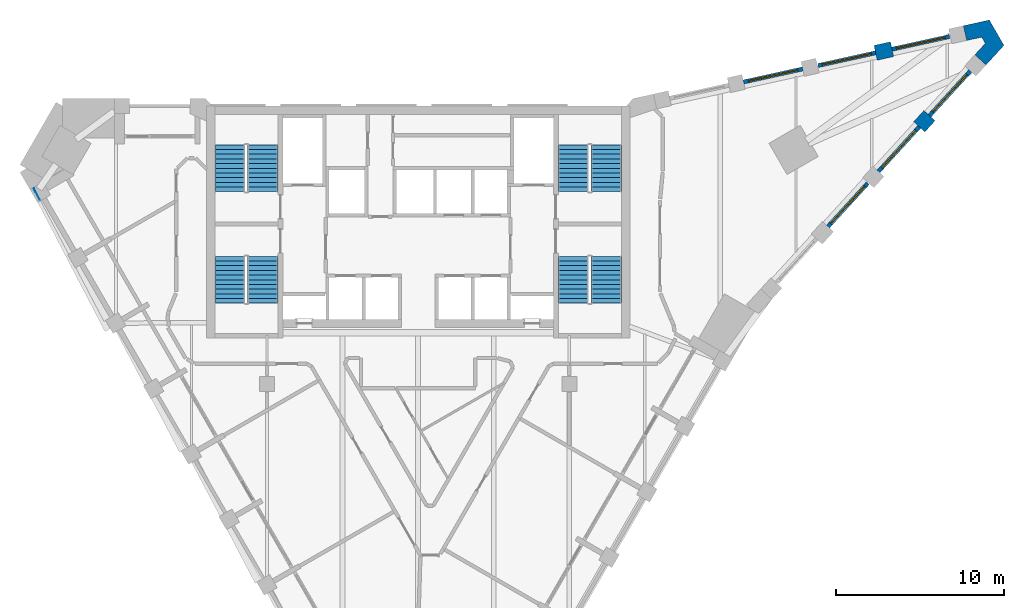
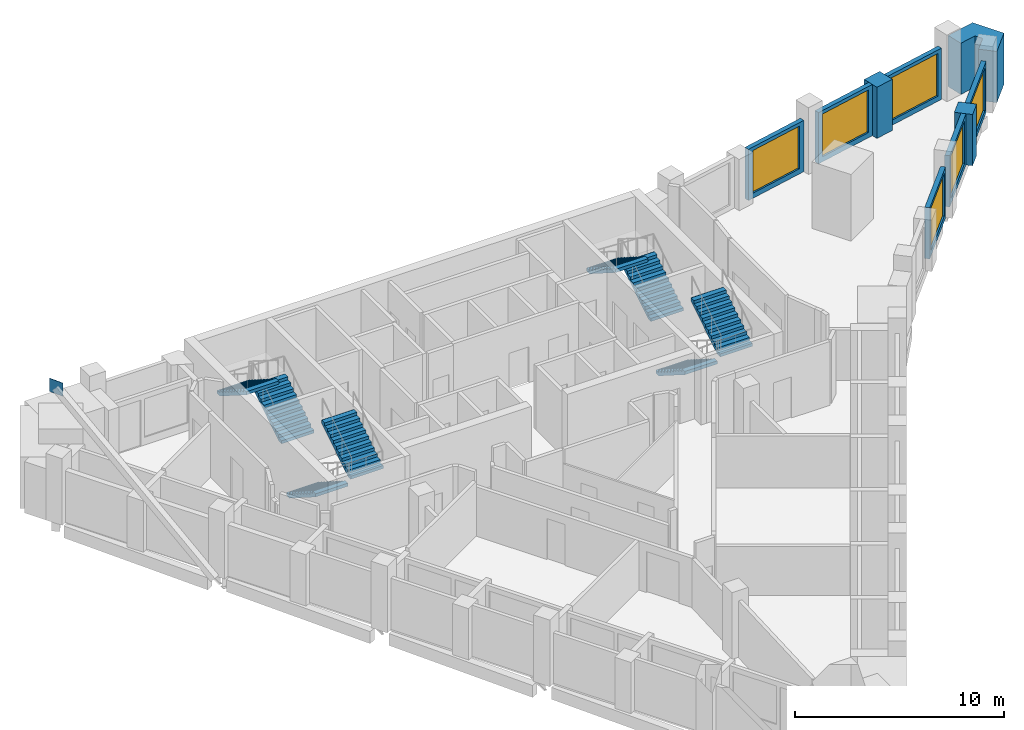
# One storey, part 7 of 8: 9 walls, 8 stair flights, 6 windows, 1 discrete accessory, 6 openings, 4 elements without a shape of their own.
"""IFC4 building model written with IfcOpenShell, lengths in metres."""

import ifcopenshell
import ifcopenshell.guid

model = None  # the IFC model being written
_history = None  # IfcOwnerHistory: only IFC2X3 demands one
_inside = {}  # id of a spatial element -> (the spatial element, [elements in it])
_under = {}  # id of a project, library or spatial element -> (it, [spatial elements below it])
_declared = {}  # id of a project -> (the project, [libraries it declares])
_typed = {}  # id of a type object -> (the type object, [elements of that type])
_made_of = {}  # id of a material, layer set ... -> (it, [elements and type objects made of it])


def new_model(schema):
    """Start an empty IFC model of exactly this schema.

    Asked for "IFC4X3", IfcOpenShell would pick the latest addendum, in which some entities
    have other attributes; the version numbers below select the first issue.
    IFC2X3 requires an IfcOwnerHistory on every rooted entity: one is made here for all.
    """
    global model, _history
    if schema == "IFC4X3":
        model = ifcopenshell.file(schema_version=(4, 3, 0, 0))
    else:
        model = ifcopenshell.file(schema=schema)
    _inside.clear()
    _under.clear()
    _declared.clear()
    _typed.clear()
    _made_of.clear()
    _history = None
    if model.schema == "IFC2X3":
        org = make("IfcOrganization", Name="unknown")
        user = make(
            "IfcPersonAndOrganization",
            ThePerson=make("IfcPerson", FamilyName="unknown"),
            TheOrganization=org,
        )
        app = make(
            "IfcApplication",
            ApplicationDeveloper=org,
            Version="unknown",
            ApplicationFullName="unknown",
            ApplicationIdentifier="unknown",
        )
        _history = make(
            "IfcOwnerHistory",
            OwningUser=user,
            OwningApplication=app,
            ChangeAction="ADDED",
            CreationDate=0,
        )
    return model


def make(cls, **values):
    """One entity of the class cls with the attributes given. An attribute that is None is left unset."""
    return model.create_entity(
        cls, **{name: value for name, value in values.items() if value is not None}
    )


def rooted(cls, **values):
    """An entity with a GlobalId (a new one), such as an element, a storey or a relation."""
    return make(cls, GlobalId=ifcopenshell.guid.new(), OwnerHistory=_history, **values)


def si_unit(unit_type, name, prefix=None):
    """IfcSIUnit, for example si_unit("LENGTHUNIT", "METRE", prefix="MILLI")."""
    return make("IfcSIUnit", UnitType=unit_type, Prefix=prefix, Name=name)


def assignment(units):
    """IfcUnitAssignment: the units of a project."""
    return None if units is None else make("IfcUnitAssignment", Units=units)


def point(xyz):
    """IfcCartesianPoint."""
    return None if xyz is None else make("IfcCartesianPoint", Coordinates=xyz)


def direction(xyz):
    """IfcDirection."""
    return None if xyz is None else make("IfcDirection", DirectionRatios=xyz)


def frame(location, z_axis=None, x_axis=None):
    """IfcAxis2Placement3D, a coordinate frame: its origin and axes. An axis left out is left unset."""
    return make(
        "IfcAxis2Placement3D",
        Location=point(location),
        Axis=direction(z_axis),
        RefDirection=direction(x_axis),
    )


def frame_2d(location, x_axis=None):
    """IfcAxis2Placement2D, a coordinate frame in the plane: its origin and x axis."""
    return make(
        "IfcAxis2Placement2D", Location=point(location), RefDirection=direction(x_axis)
    )


def origin():
    """The frame at (0, 0, 0) with its axes left unset."""
    return frame((0.0, 0.0, 0.0))


def origin_2d():
    """The frame at (0, 0) in the plane with its x axis left unset."""
    return frame_2d((0.0, 0.0))


def place(relative_to, where):
    """IfcLocalPlacement: puts the frame where relative to a parent placement (None: the world)."""
    return make(
        "IfcLocalPlacement", PlacementRelTo=relative_to, RelativePlacement=where
    )


def context(
    kind, dimensions, precision=None, world=None, true_north=None, identifier=None
):
    """IfcGeometricRepresentationContext, for example the 3D "Model" context."""
    return make(
        "IfcGeometricRepresentationContext",
        ContextIdentifier=identifier,
        ContextType=kind,
        CoordinateSpaceDimension=dimensions,
        Precision=precision,
        WorldCoordinateSystem=world,
        TrueNorth=true_north,
    )


def subcontext(parent, identifier, kind, view, scale=None):
    """IfcGeometricRepresentationSubContext, for example "Body" below "Model"."""
    return make(
        "IfcGeometricRepresentationSubContext",
        ContextIdentifier=identifier,
        ContextType=kind,
        ParentContext=parent,
        TargetScale=scale,
        TargetView=view,
    )


def project(units=None, contexts=None):
    """IfcProject with its units and contexts."""
    return rooted(
        "IfcProject",
        Name="project",
        RepresentationContexts=contexts,
        UnitsInContext=assignment(units),
    )


def spatial(cls, under=None, at=None, **own):
    """A site, building, storey or space (cls), placed at a placement, below another one or the project."""
    s = rooted(cls, ObjectPlacement=at, **own)
    if under is not None:
        _under.setdefault(under.id(), (under, []))[1].append(s)
    return s


def polyline(points):
    """IfcPolyline through the points."""
    return make("IfcPolyline", Points=[point(p) for p in points])


def profile(cls, at=None, kind="AREA", **sizes):
    """A parametric profile (cls). Its sizes go by their IFC names, for example OverallWidth=200.0."""
    return make(cls, ProfileType=kind, Position=at, **sizes)


def rectangle(**sizes):
    """IfcRectangleProfileDef."""
    return profile("IfcRectangleProfileDef", **sizes)


def outline(outer, holes=None, kind="AREA"):
    """IfcArbitraryClosedProfileDef: a profile drawn as a closed curve; with holes, ...WithVoids."""
    if holes is None:
        return make("IfcArbitraryClosedProfileDef", ProfileType=kind, OuterCurve=outer)
    return make(
        "IfcArbitraryProfileDefWithVoids",
        ProfileType=kind,
        OuterCurve=outer,
        InnerCurves=holes,
    )


def extrude(swept, where, along, depth):
    """IfcExtrudedAreaSolid: the profile swept, set in the frame where, extruded along a direction by depth."""
    return make(
        "IfcExtrudedAreaSolid",
        SweptArea=swept,
        Position=where,
        ExtrudedDirection=direction(along),
        Depth=depth,
    )


def faces_of(points, faces, orient=None, outer=None):
    """IfcFace entities. A face is a list of loops; a loop is a list of indices into points, from 0.

    orient and outer hold one flag for each loop. By default every Orientation is true, the
    first loop of a face is its IfcFaceOuterBound and the others are IfcFaceBound.
    """
    made = []
    for i, loops in enumerate(faces):
        bounds = []
        for j, loop in enumerate(loops):
            is_outer = j == 0 if outer is None else outer[i][j]
            bounds.append(
                make(
                    "IfcFaceOuterBound" if is_outer else "IfcFaceBound",
                    Bound=make("IfcPolyLoop", Polygon=[points[k] for k in loop]),
                    Orientation=True if orient is None else orient[i][j],
                )
            )
        made.append(make("IfcFace", Bounds=bounds))
    return made


def faceted_brep(points, faces, orient=None, outer=None, voids=None):
    """IfcFacetedBrep: a solid bounded by flat faces; with voids (closed shells), ...WithVoids."""
    shared = [point(p) for p in points]
    hull = make("IfcClosedShell", CfsFaces=faces_of(shared, faces, orient, outer))
    if voids is None:
        return make("IfcFacetedBrep", Outer=hull)
    return make(
        "IfcFacetedBrepWithVoids",
        Outer=hull,
        Voids=[
            make(cls, CfsFaces=faces_of(shared, fs, o, b)) for cls, fs, o, b in voids
        ],
    )


def shape(context_of_items, identifier, shape_type, items):
    """IfcShapeRepresentation: the items that make up one representation, for example the "Body"."""
    return make(
        "IfcShapeRepresentation",
        ContextOfItems=context_of_items,
        RepresentationIdentifier=identifier,
        RepresentationType=shape_type,
        Items=items,
    )


def source(mapping_origin, context_of_items, identifier, shape_type, items):
    """IfcRepresentationMap: a shape defined once, which mapped items show again and again."""
    return make(
        "IfcRepresentationMap",
        MappingOrigin=mapping_origin,
        MappedRepresentation=shape(context_of_items, identifier, shape_type, items),
    )


def transform(
    local_origin,
    x_axis=None,
    y_axis=None,
    z_axis=None,
    scale=None,
    scale2=None,
    scale3=None,
    uniform=True,
):
    """IfcCartesianTransformationOperator3D, or its non-uniform kind. x_axis, y_axis, z_axis: its Axis1, 2, 3."""
    if uniform:
        return make(
            "IfcCartesianTransformationOperator3D",
            Axis1=direction(x_axis),
            Axis2=direction(y_axis),
            LocalOrigin=point(local_origin),
            Scale=scale,
            Axis3=direction(z_axis),
        )
    return make(
        "IfcCartesianTransformationOperator3DnonUniform",
        Axis1=direction(x_axis),
        Axis2=direction(y_axis),
        LocalOrigin=point(local_origin),
        Scale=scale,
        Axis3=direction(z_axis),
        Scale2=scale2,
        Scale3=scale3,
    )


def mapped(mapping_source, mapping_target):
    """IfcMappedItem: shows the shape of a source again, moved by a transform."""
    return make(
        "IfcMappedItem", MappingSource=mapping_source, MappingTarget=mapping_target
    )


def material(Name=None, Category=None):
    """IfcMaterial."""
    return make("IfcMaterial", Name=Name, Category=Category)


def layer(
    of_material, thickness, ventilated=None, Name=None, Category=None, Priority=None
):
    """IfcMaterialLayer: one layer of a wall or slab, of a material (None: an air gap)."""
    return make(
        "IfcMaterialLayer",
        Material=of_material,
        LayerThickness=thickness,
        IsVentilated=ventilated,
        Name=Name,
        Category=Category,
        Priority=Priority,
    )


def layer_set(layers, Name=None):
    """IfcMaterialLayerSet."""
    return make("IfcMaterialLayerSet", MaterialLayers=layers, LayerSetName=Name)


def made_of(thing, what):
    """Note that an element or type object is made of a material, layer set ...; save() writes the relation."""
    if what is not None:
        _made_of.setdefault(what.id(), (what, []))[1].append(thing)
    return thing


def type_object(cls, material=None, **own):
    """A type object (cls), such as IfcWallType, which elements share."""
    return made_of(rooted(cls, **own), material)


def element(
    cls,
    number,
    at=None,
    inside=None,
    cuts=None,
    type_object=None,
    material=None,
    context=None,
    identifier="Body",
    shape_type=None,
    held_by="IfcProductDefinitionShape",
    body=None,
    shapes=None,
    **own,
):
    """One element of the class cls, such as IfcWall. Its Tag is "e" and its number.

    at: its placement. inside: the storey or other place that contains it. cuts: it is an
    opening in that element (IfcRelVoidsElement). A single representation is given by context,
    identifier, shape_type and body (its items); several are given by shapes. held_by: the class
    of the entity that holds the representations. save() writes the other relations.
    """
    e = rooted(cls, Tag="e%d" % number, ObjectPlacement=at, **own)
    if body is not None:
        shapes = [shape(context, identifier, shape_type, body)]
    if shapes is not None:
        e.Representation = make(held_by, Representations=shapes)
    if inside is not None:
        _inside.setdefault(inside.id(), (inside, []))[1].append(e)
    if cuts is not None:
        rooted(
            "IfcRelVoidsElement", RelatingBuildingElement=cuts, RelatedOpeningElement=e
        )
    if type_object is not None:
        _typed.setdefault(type_object.id(), (type_object, []))[1].append(e)
    return made_of(e, material)


def fill(opening, filler):
    """IfcRelFillsElement: the door or window that sits in an opening."""
    return rooted(
        "IfcRelFillsElement",
        RelatingOpeningElement=opening,
        RelatedBuildingElement=filler,
    )


def aggregate(whole, parts):
    """IfcRelAggregates: a whole, such as a stair, and the parts it consists of."""
    return rooted("IfcRelAggregates", RelatingObject=whole, RelatedObjects=parts)


def save(model, path):
    """Write the relations noted so far, then the file.

    IfcRelAggregates (storeys below a building ...), IfcRelContainedInSpatialStructure (elements
    in a storey), IfcRelDefinesByType, IfcRelAssociatesMaterial and IfcRelDeclares: one each for
    every whole, place, type object, material and project.
    """
    for whole, parts in _under.values():
        aggregate(whole, parts)
    for where, things in _inside.values():
        rooted(
            "IfcRelContainedInSpatialStructure",
            RelatedElements=things,
            RelatingStructure=where,
        )
    for kind, things in _typed.values():
        rooted("IfcRelDefinesByType", RelatedObjects=things, RelatingType=kind)
    for what, things in _made_of.values():
        rooted("IfcRelAssociatesMaterial", RelatedObjects=things, RelatingMaterial=what)
    for by, libraries in _declared.values():
        rooted("IfcRelDeclares", RelatingContext=by, RelatedDefinitions=libraries)
    model.write(path)


model = new_model("IFC4")

# Units and contexts
model_context = context("Model", 3, precision=1e-05, world=origin(), true_north=direction((0.0, 1.0)))
body_context = subcontext(model_context, "Body", "Model", "MODEL_VIEW")
ifc_project = project(units=[si_unit("LENGTHUNIT", "METRE"), si_unit("AREAUNIT", "SQUARE_METRE"), si_unit("VOLUMEUNIT", "CUBIC_METRE"), si_unit("PLANEANGLEUNIT", "RADIAN"), si_unit("MASSUNIT", "GRAM", prefix="KILO")], contexts=[model_context])

# Site, building, storey
site_placement = place(None, origin())
site = spatial("IfcSite", under=ifc_project, at=site_placement, CompositionType="ELEMENT")
building_placement = place(site_placement, origin())
building = spatial("IfcBuilding", under=site, at=building_placement, Name="Calabash Gate Tower", CompositionType="ELEMENT")
storey_placement = place(building_placement, frame((0.0, 0.0, 279.39990234375)))
storey = spatial("IfcBuildingStorey", under=building, at=storey_placement, Name="L67", CompositionType="ELEMENT", Elevation=279.39990234375)

# Walls
ifc_material_1 = material(Name="Terracotta brick masonry, exposed face", Category="masonry")
ifc_layer_1 = layer(ifc_material_1, 0.89990234375)
ifc_layer_set_1 = layer_set([ifc_layer_1], Name="Brick end wall 900")
wall_type_1 = type_object("IfcWallType", Name="Brick end wall 900", PredefinedType="SOLIDWALL", material=ifc_layer_set_1)
wall_1_placement = place(storey_placement, frame((30.44482421875, 18.47900390625, 0.0), z_axis=(0.0, 0.0, 1.0), x_axis=(-0.674938051731, -0.737874397391, 0.0)))
element("IfcWall", 1, at=wall_1_placement, inside=storey, type_object=wall_type_1, Name="Brick pier S20 wedge3.3", PredefinedType="SOLIDWALL", context=body_context, shape_type="SweptSolid", body=[
    extrude(rectangle(XDim=0.89990234375, YDim=0.89990234375, at=frame_2d((0.449951171875, 0.0))), origin(), (0.0, 0.0, 1.0), 3.0),
])
wall_2_placement = place(storey_placement, frame((28.21728515625, 22.436279296875, 0.0), z_axis=(0.0, 0.0, 1.0), x_axis=(-0.97656888558, -0.215205045752, 0.0)))
element("IfcWall", 2, at=wall_2_placement, inside=storey, type_object=wall_type_1, Name="Brick pier S20 wedge5.1", PredefinedType="SOLIDWALL", context=body_context, shape_type="SweptSolid", body=[
    extrude(rectangle(XDim=1.00390625, YDim=0.89990234375, at=frame_2d((0.501953125, 0.0))), origin(), (0.0, 0.0, 1.0), 3.0),
])
wall_3_placement = place(storey_placement, origin())
element("IfcWall", 3, at=wall_3_placement, inside=storey, type_object=wall_type_1, Name="Brick end wall S20 2", PredefinedType="SOLIDWALL", context=body_context, shape_type="SweptSolid", body=[
    extrude(outline(polyline([(33.813720703125, 21.496337890625), (34.881591796875, 22.663818359375), (34.0087890625, 24.175048828125), (32.4638671875, 23.834228515625), (32.65771484375, 22.955322265625), (33.55908203125, 23.154296875), (33.7724609375, 22.78466796875), (33.149658203125, 22.103759765625), (33.813720703125, 21.496337890625)])), origin(), (0.0, 0.0, 1.0), 3.0),
])

# Wall, opening, window
ifc_material_2 = material(Name="Aluminium framed window wall with insulated spandrel", Category="aluminium")
ifc_layer_2 = layer(ifc_material_2, 0.25)
ifc_layer_set_2 = layer_set([ifc_layer_2], Name="Prow window wall 250")
wall_type_2 = type_object("IfcWallType", Name="Prow window wall 250", PredefinedType="ELEMENTEDWALL", material=ifc_layer_set_2)
wall_4_placement = place(storey_placement, frame((24.40478515625, 11.87451171875, 0.0), z_axis=(0.0, 0.0, 1.0), x_axis=(0.67487449122, 0.737932531537, 0.0)))
wall_4 = element("IfcWall", 4, at=wall_4_placement, inside=storey, type_object=wall_type_2, Name="Prow window wall S20 wedge3.2", PredefinedType="ELEMENTEDWALL", context=body_context, shape_type="SweptSolid", body=[
    extrude(rectangle(XDim=3.5, YDim=0.25, at=frame_2d((1.75, 0.0))), origin(), (0.0, 0.0, 1.0), 3.0),
])
opening_1_placement = place(wall_4_placement, frame((0.25, 0.0, 0.300048828125)))
opening_1 = element("IfcOpeningElement", 5, at=opening_1_placement, cuts=wall_4, Name="Opening WP2", PredefinedType="OPENING", context=body_context, shape_type="SweptSolid", body=[
    extrude(rectangle(XDim=3.0, YDim=2.5, at=frame_2d((1.5, 1.25))), frame((0.0, 0.135009765625, 0.0), z_axis=(0.0, -1.0, 0.0), x_axis=(1.0, 0.0, 0.0)), (0.0, 0.0, 1.0), 0.27001953125),
])
ifc_material_3 = material(Name="Anodised aluminium frame, bronze finish, impact-rated laminated clear glazing", Category="aluminium")
window_type = type_object("IfcWindowType", Name="Window WP2 3000x2500", PartitioningType="DOUBLE_PANEL_VERTICAL", PredefinedType="WINDOW", material=ifc_material_3)
window_1_placement = place(opening_1_placement, origin())
window_1 = element("IfcWindow", 6, at=window_1_placement, inside=storey, type_object=window_type, Name="Prow window WP2 S20 wedge3.2", OverallHeight=2.5, OverallWidth=3.0, PartitioningType="SINGLE_PANEL", PredefinedType="WINDOW", context=body_context, shape_type="SweptSolid", body=[
    extrude(rectangle(XDim=3.0, YDim=2.5, at=frame_2d((1.5, 1.25))), frame((0.0, 0.030029296875, 0.0), z_axis=(0.0, -1.0, 0.0), x_axis=(1.0, 0.0, 0.0)), (0.0, 0.0, 1.0), 0.06005859375),
])
fill(opening_1, window_1)

wall_5_placement = place(storey_placement, frame((27.407958984375, 15.158203125, 0.0), z_axis=(0.0, 0.0, 1.0), x_axis=(0.674833575111, 0.737969949187, 0.0)))
wall_5 = element("IfcWall", 7, at=wall_5_placement, inside=storey, type_object=wall_type_2, Name="Prow window wall S20 wedge3.3", PredefinedType="ELEMENTEDWALL", context=body_context, shape_type="SweptSolid", body=[
    extrude(rectangle(XDim=3.60009765625, YDim=0.25, at=frame_2d((1.800048828125, 0.0))), origin(), (0.0, 0.0, 1.0), 3.0),
])
opening_2_placement = place(wall_5_placement, frame((0.300048828125, 0.0, 0.300048828125)))
opening_2 = element("IfcOpeningElement", 8, at=opening_2_placement, cuts=wall_5, Name="Opening WP2", PredefinedType="OPENING", context=body_context, shape_type="SweptSolid", body=[
    extrude(rectangle(XDim=3.0, YDim=2.5, at=frame_2d((1.5, 1.25))), frame((0.0, 0.135009765625, 0.0), z_axis=(0.0, -1.0, 0.0), x_axis=(1.0, 0.0, 0.0)), (0.0, 0.0, 1.0), 0.27001953125),
])
window_2_placement = place(opening_2_placement, origin())
window_2 = element("IfcWindow", 9, at=window_2_placement, inside=storey, type_object=window_type, Name="Prow window WP2 S20 wedge3.3", OverallHeight=2.5, OverallWidth=3.0, PartitioningType="SINGLE_PANEL", PredefinedType="WINDOW", context=body_context, shape_type="SweptSolid", body=[
    extrude(rectangle(XDim=3.0, YDim=2.5, at=frame_2d((1.5, 1.25))), frame((0.0, 0.030029296875, 0.0), z_axis=(0.0, -1.0, 0.0), x_axis=(1.0, 0.0, 0.0)), (0.0, 0.0, 1.0), 0.06005859375),
])
fill(opening_2, window_2)

wall_6_placement = place(storey_placement, frame((30.44482421875, 18.47900390625, 0.0), z_axis=(0.0, 0.0, 1.0), x_axis=(0.674833575111, 0.737969949187, 0.0)))
wall_6 = element("IfcWall", 10, at=wall_6_placement, inside=storey, type_object=wall_type_2, Name="Prow window wall S20 wedge3.4", PredefinedType="ELEMENTEDWALL", context=body_context, shape_type="SweptSolid", body=[
    extrude(rectangle(XDim=3.60009765625, YDim=0.25, at=frame_2d((1.800048828125, 0.0))), origin(), (0.0, 0.0, 1.0), 3.0),
])
opening_3_placement = place(wall_6_placement, frame((0.300048828125, 0.0, 0.300048828125)))
opening_3 = element("IfcOpeningElement", 11, at=opening_3_placement, cuts=wall_6, Name="Opening WP2", PredefinedType="OPENING", context=body_context, shape_type="SweptSolid", body=[
    extrude(rectangle(XDim=3.0, YDim=2.5, at=frame_2d((1.5, 1.25))), frame((0.0, 0.135009765625, 0.0), z_axis=(0.0, -1.0, 0.0), x_axis=(1.0, 0.0, 0.0)), (0.0, 0.0, 1.0), 0.27001953125),
])
window_3_placement = place(opening_3_placement, origin())
window_3 = element("IfcWindow", 12, at=window_3_placement, inside=storey, type_object=window_type, Name="Prow window WP2 S20 wedge3.4", OverallHeight=2.5, OverallWidth=3.0, PartitioningType="SINGLE_PANEL", PredefinedType="WINDOW", context=body_context, shape_type="SweptSolid", body=[
    extrude(rectangle(XDim=3.0, YDim=2.5, at=frame_2d((1.5, 1.25))), frame((0.0, 0.030029296875, 0.0), z_axis=(0.0, -1.0, 0.0), x_axis=(1.0, 0.0, 0.0)), (0.0, 0.0, 1.0), 0.06005859375),
])
fill(opening_3, window_3)

wall_7_placement = place(storey_placement, frame((31.633056640625, 23.190185546875, 0.0), z_axis=(0.0, 0.0, 1.0), x_axis=(-0.976509313763, -0.215475196101, 0.0)))
wall_7 = element("IfcWall", 13, at=wall_7_placement, inside=storey, type_object=wall_type_2, Name="Prow window wall S20 wedge5.1", PredefinedType="ELEMENTEDWALL", context=body_context, shape_type="SweptSolid", body=[
    extrude(rectangle(XDim=3.5, YDim=0.25, at=frame_2d((1.75, 0.0))), origin(), (0.0, 0.0, 1.0), 3.0),
])
opening_4_placement = place(wall_7_placement, frame((0.25, 0.0, 0.300048828125)))
opening_4 = element("IfcOpeningElement", 14, at=opening_4_placement, cuts=wall_7, Name="Opening WP2", PredefinedType="OPENING", context=body_context, shape_type="SweptSolid", body=[
    extrude(rectangle(XDim=3.0, YDim=2.5, at=frame_2d((1.5, 1.25))), frame((0.0, 0.135009765625, 0.0), z_axis=(0.0, -1.0, 0.0), x_axis=(1.0, 0.0, 0.0)), (0.0, 0.0, 1.0), 0.27001953125),
])
window_4_placement = place(opening_4_placement, origin())
window_4 = element("IfcWindow", 15, at=window_4_placement, inside=storey, type_object=window_type, Name="Prow window WP2 S20 wedge5.1", OverallHeight=2.5, OverallWidth=3.0, PartitioningType="SINGLE_PANEL", PredefinedType="WINDOW", context=body_context, shape_type="SweptSolid", body=[
    extrude(rectangle(XDim=3.0, YDim=2.5, at=frame_2d((1.5, 1.25))), frame((0.0, 0.030029296875, 0.0), z_axis=(0.0, -1.0, 0.0), x_axis=(1.0, 0.0, 0.0)), (0.0, 0.0, 1.0), 0.06005859375),
])
fill(opening_4, window_4)

wall_8_placement = place(storey_placement, frame((27.23876953125, 22.220458984375, 0.0), z_axis=(0.0, 0.0, 1.0), x_axis=(-0.976509313763, -0.215475196101, 0.0)))
wall_8 = element("IfcWall", 16, at=wall_8_placement, inside=storey, type_object=wall_type_2, Name="Prow window wall S20 wedge5.2", PredefinedType="ELEMENTEDWALL", context=body_context, shape_type="SweptSolid", body=[
    extrude(rectangle(XDim=3.5, YDim=0.25, at=frame_2d((1.75, 0.0))), origin(), (0.0, 0.0, 1.0), 3.0),
])
opening_5_placement = place(wall_8_placement, frame((0.25, 0.0, 0.300048828125)))
opening_5 = element("IfcOpeningElement", 17, at=opening_5_placement, cuts=wall_8, Name="Opening WP2", PredefinedType="OPENING", context=body_context, shape_type="SweptSolid", body=[
    extrude(rectangle(XDim=3.0, YDim=2.5, at=frame_2d((1.5, 1.25))), frame((0.0, 0.135009765625, 0.0), z_axis=(0.0, -1.0, 0.0), x_axis=(1.0, 0.0, 0.0)), (0.0, 0.0, 1.0), 0.27001953125),
])
window_5_placement = place(opening_5_placement, origin())
window_5 = element("IfcWindow", 18, at=window_5_placement, inside=storey, type_object=window_type, Name="Prow window WP2 S20 wedge5.2", OverallHeight=2.5, OverallWidth=3.0, PartitioningType="SINGLE_PANEL", PredefinedType="WINDOW", context=body_context, shape_type="SweptSolid", body=[
    extrude(rectangle(XDim=3.0, YDim=2.5, at=frame_2d((1.5, 1.25))), frame((0.0, 0.030029296875, 0.0), z_axis=(0.0, -1.0, 0.0), x_axis=(1.0, 0.0, 0.0)), (0.0, 0.0, 1.0), 0.06005859375),
])
fill(opening_5, window_5)

wall_9_placement = place(storey_placement, frame((22.893310546875, 21.26171875, 0.0), z_axis=(0.0, 0.0, 1.0), x_axis=(-0.976513072969, -0.215458159096, 0.0)))
wall_9 = element("IfcWall", 19, at=wall_9_placement, inside=storey, type_object=wall_type_2, Name="Prow window wall S20 wedge5.3", PredefinedType="ELEMENTEDWALL", context=body_context, shape_type="SweptSolid", body=[
    extrude(rectangle(XDim=3.599853515625, YDim=0.25, at=frame_2d((1.7998046875, 0.0))), origin(), (0.0, 0.0, 1.0), 3.0),
])
opening_6_placement = place(wall_9_placement, frame((0.300048828125, 0.0, 0.300048828125)))
opening_6 = element("IfcOpeningElement", 20, at=opening_6_placement, cuts=wall_9, Name="Opening WP2", PredefinedType="OPENING", context=body_context, shape_type="SweptSolid", body=[
    extrude(rectangle(XDim=3.0, YDim=2.5, at=frame_2d((1.5, 1.25))), frame((0.0, 0.135009765625, 0.0), z_axis=(0.0, -1.0, 0.0), x_axis=(1.0, 0.0, 0.0)), (0.0, 0.0, 1.0), 0.27001953125),
])
window_6_placement = place(opening_6_placement, origin())
window_6 = element("IfcWindow", 21, at=window_6_placement, inside=storey, type_object=window_type, Name="Prow window WP2 S20 wedge5.3", OverallHeight=2.5, OverallWidth=3.0, PartitioningType="SINGLE_PANEL", PredefinedType="WINDOW", context=body_context, shape_type="SweptSolid", body=[
    extrude(rectangle(XDim=3.0, YDim=2.5, at=frame_2d((1.5, 1.25))), frame((0.0, 0.030029296875, 0.0), z_axis=(0.0, -1.0, 0.0), x_axis=(1.0, 0.0, 0.0)), (0.0, 0.0, 1.0), 0.06005859375),
])
fill(opening_6, window_6)

# Stair, stair flights
ifc_material_4 = material(Name="Concrete C40/50", Category="concrete")
stair_type = type_object("IfcStairType", Name="Exit stair 22 risers of 177.3 mm", PredefinedType="HALF_TURN_STAIR", material=ifc_material_4)
stair_1_placement = place(storey_placement, origin())
stair_1 = element("IfcStair", 22, at=stair_1_placement, inside=storey, type_object=stair_type, Name="L67 Exit stair ST1", PredefinedType="HALF_TURN_STAIR")
ifc_material_5 = material(Name="Concrete C40/50", Category="concrete")
stair_flight_type = type_object("IfcStairFlightType", Name="Exit stair flight SFL", PredefinedType="STRAIGHT", material=ifc_material_5)
shared_shape = source(origin(), body_context, "Body", "Brep", [
    faceted_brep([(-0.0009765625, -0.89990234375, 0.0), (0.279541015625, -0.89990234375, 0.0), (2.791015625, -0.89990234375, 1.59521484375), (-0.0009765625, 0.89990234375, 0.0), (2.791015625, 0.89990234375, 1.59521484375), (0.279541015625, 0.89990234375, 0.0), (2.791015625, -0.89990234375, 1.78466796875), (2.7900390625, -0.89990234375, 1.78466796875), (2.7900390625, 0.89990234375, 1.78466796875), (2.791015625, 0.89990234375, 1.78466796875), (2.7900390625, -0.89990234375, 1.772705078125), (2.7900390625, 0.89990234375, 1.772705078125), (2.510986328125, -0.89990234375, 1.772705078125), (2.510986328125, 0.89990234375, 1.772705078125), (2.510986328125, -0.89990234375, 1.595458984375), (2.510986328125, 0.89990234375, 1.595458984375), (2.23193359375, -0.89990234375, 1.595458984375), (2.23193359375, 0.89990234375, 1.595458984375), (2.23193359375, -0.89990234375, 1.418212890625), (2.23193359375, 0.89990234375, 1.418212890625), (1.952880859375, -0.89990234375, 1.418212890625), (1.952880859375, -0.89990234375, 1.240966796875), (1.952880859375, 0.89990234375, 1.240966796875), (1.952880859375, 0.89990234375, 1.418212890625), (1.674072265625, -0.89990234375, 1.240966796875), (1.674072265625, -0.89990234375, 1.063720703125), (1.674072265625, 0.89990234375, 1.063720703125), (1.674072265625, 0.89990234375, 1.240966796875), (1.39501953125, -0.89990234375, 1.063720703125), (1.39501953125, -0.89990234375, 0.886474609375), (1.39501953125, 0.89990234375, 0.886474609375), (1.39501953125, 0.89990234375, 1.063720703125), (1.115966796875, -0.89990234375, 0.886474609375), (1.115966796875, -0.89990234375, 0.708984375), (1.115966796875, 0.89990234375, 0.708984375), (1.115966796875, 0.89990234375, 0.886474609375), (0.8369140625, -0.89990234375, 0.708984375), (0.8369140625, -0.89990234375, 0.53173828125), (0.8369140625, 0.89990234375, 0.53173828125), (0.8369140625, 0.89990234375, 0.708984375), (0.55810546875, -0.89990234375, 0.53173828125), (0.55810546875, -0.89990234375, 0.3544921875), (0.55810546875, 0.89990234375, 0.3544921875), (0.55810546875, 0.89990234375, 0.53173828125), (0.279052734375, -0.89990234375, 0.3544921875), (0.279052734375, -0.89990234375, 0.17724609375), (0.279052734375, 0.89990234375, 0.17724609375), (0.279052734375, 0.89990234375, 0.3544921875), (-0.0009765625, -0.89990234375, 0.17724609375), (-0.0009765625, 0.89990234375, 0.17724609375), (0.279541015625, -0.360107421875, 0.0), (2.791015625, -0.360107421875, 1.59521484375), (0.279541015625, 0.0, 0.0), (2.791015625, 0.0, 1.59521484375), (0.279541015625, 0.360107421875, 0.0), (2.791015625, 0.360107421875, 1.59521484375), (2.791015625, -0.360107421875, 1.78466796875), (2.791015625, 0.0, 1.78466796875), (2.791015625, 0.360107421875, 1.78466796875), (2.7900390625, -0.360107421875, 1.78466796875), (2.7900390625, 0.0, 1.78466796875), (2.7900390625, 0.360107421875, 1.78466796875), (2.7900390625, -0.360107421875, 1.772705078125), (2.7900390625, 0.0, 1.772705078125), (2.7900390625, 0.360107421875, 1.772705078125), (2.510986328125, -0.360107421875, 1.772705078125), (2.510986328125, 0.0, 1.772705078125), (2.510986328125, 0.360107421875, 1.772705078125), (2.510986328125, -0.360107421875, 1.595458984375), (2.510986328125, 0.0, 1.595458984375), (2.510986328125, 0.360107421875, 1.595458984375), (2.23193359375, -0.360107421875, 1.595458984375), (2.23193359375, 0.0, 1.595458984375), (2.23193359375, 0.360107421875, 1.595458984375), (2.23193359375, -0.360107421875, 1.418212890625), (2.23193359375, 0.0, 1.418212890625), (2.23193359375, 0.360107421875, 1.418212890625), (1.952880859375, -0.360107421875, 1.418212890625), (1.952880859375, 0.0, 1.418212890625), (1.952880859375, 0.360107421875, 1.418212890625), (1.952880859375, -0.360107421875, 1.240966796875), (1.952880859375, 0.0, 1.240966796875), (1.952880859375, 0.360107421875, 1.240966796875), (1.674072265625, -0.360107421875, 1.240966796875), (1.674072265625, 0.0, 1.240966796875), (1.674072265625, 0.360107421875, 1.240966796875), (1.674072265625, -0.360107421875, 1.063720703125), (1.674072265625, 0.0, 1.063720703125), (1.674072265625, 0.360107421875, 1.063720703125), (1.39501953125, -0.360107421875, 1.063720703125), (1.39501953125, 0.0, 1.063720703125), (1.39501953125, 0.360107421875, 1.063720703125), (1.39501953125, -0.360107421875, 0.886474609375), (1.39501953125, 0.0, 0.886474609375), (1.39501953125, 0.360107421875, 0.886474609375), (1.115966796875, -0.360107421875, 0.886474609375), (1.115966796875, 0.0, 0.886474609375), (1.115966796875, 0.360107421875, 0.886474609375), (1.115966796875, -0.360107421875, 0.708984375), (1.115966796875, 0.0, 0.708984375), (1.115966796875, 0.360107421875, 0.708984375), (0.8369140625, -0.360107421875, 0.708984375), (0.8369140625, 0.0, 0.708984375), (0.8369140625, 0.360107421875, 0.708984375), (0.8369140625, -0.360107421875, 0.53173828125), (0.8369140625, 0.0, 0.53173828125), (0.8369140625, 0.360107421875, 0.53173828125), (0.55810546875, -0.360107421875, 0.53173828125), (0.55810546875, 0.0, 0.53173828125), (0.55810546875, 0.360107421875, 0.53173828125), (0.55810546875, -0.360107421875, 0.3544921875), (0.55810546875, 0.0, 0.3544921875), (0.55810546875, 0.360107421875, 0.3544921875), (0.279052734375, -0.360107421875, 0.3544921875), (0.279052734375, 0.0, 0.3544921875), (0.279052734375, 0.360107421875, 0.3544921875), (0.279052734375, -0.360107421875, 0.17724609375), (0.279052734375, 0.0, 0.17724609375), (0.279052734375, 0.360107421875, 0.17724609375), (-0.0009765625, -0.360107421875, 0.17724609375), (-0.0009765625, 0.0, 0.17724609375), (-0.0009765625, 0.360107421875, 0.17724609375), (-0.0009765625, -0.360107421875, 0.0), (-0.0009765625, 0.0, 0.0), (-0.0009765625, 0.360107421875, 0.0)], [[[0, 1, 2]], [[3, 4, 5]], [[2, 6, 7]], [[4, 8, 9]], [[2, 7, 10]], [[4, 11, 8]], [[2, 10, 12]], [[4, 13, 11]], [[2, 12, 14]], [[4, 15, 13]], [[2, 14, 16]], [[4, 17, 15]], [[2, 16, 18]], [[4, 19, 17]], [[18, 20, 21]], [[19, 22, 23]], [[2, 18, 21]], [[4, 22, 19]], [[21, 24, 25]], [[22, 26, 27]], [[2, 21, 25]], [[4, 26, 22]], [[25, 28, 29]], [[26, 30, 31]], [[2, 25, 29]], [[4, 30, 26]], [[29, 32, 33]], [[30, 34, 35]], [[2, 29, 33]], [[4, 34, 30]], [[33, 36, 37]], [[34, 38, 39]], [[2, 33, 37]], [[4, 38, 34]], [[37, 40, 41]], [[38, 42, 43]], [[2, 37, 41]], [[4, 42, 38]], [[41, 44, 45]], [[42, 46, 47]], [[2, 41, 45]], [[4, 46, 42]], [[0, 2, 45]], [[3, 46, 4]], [[45, 48, 0]], [[46, 3, 49]], [[1, 50, 2]], [[50, 51, 2]], [[50, 52, 51]], [[52, 53, 51]], [[52, 54, 55]], [[52, 55, 53]], [[54, 5, 4]], [[54, 4, 55]], [[2, 51, 6]], [[51, 56, 6]], [[51, 53, 56]], [[53, 57, 56]], [[53, 55, 58]], [[53, 58, 57]], [[55, 4, 9]], [[55, 9, 58]], [[6, 56, 7]], [[56, 59, 7]], [[56, 57, 59]], [[57, 60, 59]], [[57, 58, 61]], [[57, 61, 60]], [[58, 9, 8]], [[58, 8, 61]], [[7, 59, 10]], [[59, 62, 10]], [[59, 60, 62]], [[60, 63, 62]], [[60, 61, 64]], [[60, 64, 63]], [[61, 8, 11]], [[61, 11, 64]], [[10, 62, 12]], [[62, 65, 12]], [[62, 63, 65]], [[63, 66, 65]], [[63, 64, 67]], [[63, 67, 66]], [[64, 11, 13]], [[64, 13, 67]], [[12, 65, 14]], [[65, 68, 14]], [[65, 66, 68]], [[66, 69, 68]], [[66, 67, 70]], [[66, 70, 69]], [[67, 13, 15]], [[67, 15, 70]], [[14, 68, 16]], [[68, 71, 16]], [[68, 69, 71]], [[69, 72, 71]], [[69, 70, 73]], [[69, 73, 72]], [[70, 15, 17]], [[70, 17, 73]], [[16, 71, 18]], [[71, 74, 18]], [[71, 72, 74]], [[72, 75, 74]], [[72, 73, 76]], [[72, 76, 75]], [[73, 17, 19]], [[73, 19, 76]], [[18, 74, 20]], [[74, 77, 20]], [[74, 75, 77]], [[75, 78, 77]], [[75, 76, 79]], [[75, 79, 78]], [[76, 19, 23]], [[76, 23, 79]], [[20, 77, 21]], [[77, 80, 21]], [[77, 78, 80]], [[78, 81, 80]], [[78, 79, 82]], [[78, 82, 81]], [[79, 23, 22]], [[79, 22, 82]], [[21, 80, 24]], [[80, 83, 24]], [[80, 81, 83]], [[81, 84, 83]], [[81, 82, 85]], [[81, 85, 84]], [[82, 22, 27]], [[82, 27, 85]], [[24, 83, 25]], [[83, 86, 25]], [[83, 84, 86]], [[84, 87, 86]], [[84, 85, 88]], [[84, 88, 87]], [[85, 27, 26]], [[85, 26, 88]], [[25, 86, 28]], [[86, 89, 28]], [[86, 87, 89]], [[87, 90, 89]], [[87, 88, 91]], [[87, 91, 90]], [[88, 26, 31]], [[88, 31, 91]], [[28, 89, 29]], [[89, 92, 29]], [[89, 90, 92]], [[90, 93, 92]], [[90, 91, 94]], [[90, 94, 93]], [[91, 31, 30]], [[91, 30, 94]], [[29, 92, 32]], [[92, 95, 32]], [[92, 93, 95]], [[93, 96, 95]], [[93, 94, 97]], [[93, 97, 96]], [[94, 30, 35]], [[94, 35, 97]], [[32, 95, 33]], [[95, 98, 33]], [[95, 96, 98]], [[96, 99, 98]], [[96, 97, 100]], [[96, 100, 99]], [[97, 35, 34]], [[97, 34, 100]], [[33, 98, 36]], [[98, 101, 36]], [[98, 99, 101]], [[99, 102, 101]], [[99, 100, 103]], [[99, 103, 102]], [[100, 34, 39]], [[100, 39, 103]], [[36, 101, 37]], [[101, 104, 37]], [[101, 102, 104]], [[102, 105, 104]], [[102, 103, 106]], [[102, 106, 105]], [[103, 39, 38]], [[103, 38, 106]], [[37, 104, 40]], [[104, 107, 40]], [[104, 105, 107]], [[105, 108, 107]], [[105, 106, 109]], [[105, 109, 108]], [[106, 38, 43]], [[106, 43, 109]], [[40, 107, 41]], [[107, 110, 41]], [[107, 108, 110]], [[108, 111, 110]], [[108, 109, 112]], [[108, 112, 111]], [[109, 43, 42]], [[109, 42, 112]], [[41, 110, 44]], [[110, 113, 44]], [[110, 111, 113]], [[111, 114, 113]], [[111, 112, 115]], [[111, 115, 114]], [[112, 42, 47]], [[112, 47, 115]], [[44, 113, 45]], [[113, 116, 45]], [[113, 114, 116]], [[114, 117, 116]], [[114, 115, 118]], [[114, 118, 117]], [[115, 47, 46]], [[115, 46, 118]], [[45, 116, 48]], [[116, 119, 48]], [[116, 117, 119]], [[117, 120, 119]], [[117, 118, 121]], [[117, 121, 120]], [[118, 46, 49]], [[118, 49, 121]], [[48, 119, 0]], [[119, 122, 0]], [[119, 120, 122]], [[120, 123, 122]], [[120, 121, 124]], [[120, 124, 123]], [[121, 49, 3]], [[121, 3, 124]], [[0, 122, 1]], [[122, 50, 1]], [[122, 123, 50]], [[123, 52, 50]], [[123, 124, 54]], [[123, 54, 52]], [[124, 3, 5]], [[124, 5, 54]]]),
])
stair_flight_1_placement = place(storey_placement, frame((-9.25, 13.95263671875, 0.0), z_axis=(0.0, 0.0, 1.0), x_axis=(0.0, 1.0, 0.0)))
stair_flight_1 = element("IfcStairFlight", 23, at=stair_flight_1_placement, type_object=stair_flight_type, Name="ST1 flight 1", NumberOfRisers=11, NumberOfTreads=10, PredefinedType="STRAIGHT", RiserHeight=0.177272727, TreadLength=0.279, context=body_context, shape_type="MappedRepresentation", body=[
    mapped(shared_shape, transform((0.0, 0.0, 0.0), scale=1.0)),
])
stair_flight_2_placement = place(storey_placement, frame((-11.199951171875, 16.74267578125, 1.9501953125), z_axis=(0.0, 0.0, 1.0), x_axis=(0.0, -1.0, 0.0)))
stair_flight_2 = element("IfcStairFlight", 24, at=stair_flight_2_placement, type_object=stair_flight_type, Name="ST1 flight 2", NumberOfRisers=11, NumberOfTreads=10, PredefinedType="STRAIGHT", RiserHeight=0.177272727, TreadLength=0.279, context=body_context, shape_type="MappedRepresentation", body=[
    mapped(shared_shape, transform((0.0, 0.0, 0.0), scale=1.0)),
])
aggregate(stair_1, [stair_flight_1, stair_flight_2])

stair_2_placement = place(storey_placement, origin())
stair_2 = element("IfcStair", 25, at=stair_2_placement, inside=storey, type_object=stair_type, Name="L67 Exit stair ST2", PredefinedType="HALF_TURN_STAIR")
stair_flight_3_placement = place(storey_placement, frame((-11.199951171875, 10.1025390625, 0.0), z_axis=(0.0, 0.0, 1.0), x_axis=(0.0, -1.0, 0.0)))
stair_flight_3 = element("IfcStairFlight", 26, at=stair_flight_3_placement, type_object=stair_flight_type, Name="ST2 flight 1", NumberOfRisers=11, NumberOfTreads=10, PredefinedType="STRAIGHT", RiserHeight=0.177272727, TreadLength=0.279, context=body_context, shape_type="MappedRepresentation", body=[
    mapped(shared_shape, transform((0.0, 0.0, 0.0), scale=1.0)),
])
stair_flight_4_placement = place(storey_placement, frame((-9.25, 7.3125, 1.9501953125), z_axis=(0.0, 0.0, 1.0), x_axis=(0.0, 1.0, 0.0)))
stair_flight_4 = element("IfcStairFlight", 27, at=stair_flight_4_placement, type_object=stair_flight_type, Name="ST2 flight 2", NumberOfRisers=11, NumberOfTreads=10, PredefinedType="STRAIGHT", RiserHeight=0.177272727, TreadLength=0.279, context=body_context, shape_type="MappedRepresentation", body=[
    mapped(shared_shape, transform((0.0, 0.0, 0.0), scale=1.0)),
])
aggregate(stair_2, [stair_flight_3, stair_flight_4])

stair_3_placement = place(storey_placement, origin())
stair_3 = element("IfcStair", 28, at=stair_3_placement, inside=storey, type_object=stair_type, Name="L67 Exit stair ST3", PredefinedType="HALF_TURN_STAIR")
stair_flight_5_placement = place(storey_placement, frame((11.199951171875, 13.95263671875, 0.0), z_axis=(0.0, 0.0, 1.0), x_axis=(0.0, 1.0, 0.0)))
stair_flight_5 = element("IfcStairFlight", 29, at=stair_flight_5_placement, type_object=stair_flight_type, Name="ST3 flight 1", NumberOfRisers=11, NumberOfTreads=10, PredefinedType="STRAIGHT", RiserHeight=0.177272727, TreadLength=0.279, context=body_context, shape_type="MappedRepresentation", body=[
    mapped(shared_shape, transform((0.0, 0.0, 0.0), scale=1.0)),
])
stair_flight_6_placement = place(storey_placement, frame((9.25, 16.74267578125, 1.9501953125), z_axis=(0.0, 0.0, 1.0), x_axis=(0.0, -1.0, 0.0)))
stair_flight_6 = element("IfcStairFlight", 30, at=stair_flight_6_placement, type_object=stair_flight_type, Name="ST3 flight 2", NumberOfRisers=11, NumberOfTreads=10, PredefinedType="STRAIGHT", RiserHeight=0.177272727, TreadLength=0.279, context=body_context, shape_type="MappedRepresentation", body=[
    mapped(shared_shape, transform((0.0, 0.0, 0.0), scale=1.0)),
])
aggregate(stair_3, [stair_flight_5, stair_flight_6])

stair_4_placement = place(storey_placement, origin())
stair_4 = element("IfcStair", 31, at=stair_4_placement, inside=storey, type_object=stair_type, Name="L67 Exit stair ST4", PredefinedType="HALF_TURN_STAIR")
stair_flight_7_placement = place(storey_placement, frame((9.25, 10.1025390625, 0.0), z_axis=(0.0, 0.0, 1.0), x_axis=(0.0, -1.0, 0.0)))
stair_flight_7 = element("IfcStairFlight", 32, at=stair_flight_7_placement, type_object=stair_flight_type, Name="ST4 flight 1", NumberOfRisers=11, NumberOfTreads=10, PredefinedType="STRAIGHT", RiserHeight=0.177272727, TreadLength=0.279, context=body_context, shape_type="MappedRepresentation", body=[
    mapped(shared_shape, transform((0.0, 0.0, 0.0), scale=1.0)),
])
stair_flight_8_placement = place(storey_placement, frame((11.199951171875, 7.3125, 1.9501953125), z_axis=(0.0, 0.0, 1.0), x_axis=(0.0, 1.0, 0.0)))
stair_flight_8 = element("IfcStairFlight", 33, at=stair_flight_8_placement, type_object=stair_flight_type, Name="ST4 flight 2", NumberOfRisers=11, NumberOfTreads=10, PredefinedType="STRAIGHT", RiserHeight=0.177272727, TreadLength=0.279, context=body_context, shape_type="MappedRepresentation", body=[
    mapped(shared_shape, transform((0.0, 0.0, 0.0), scale=1.0)),
])
aggregate(stair_4, [stair_flight_7, stair_flight_8])

# Discrete accessory
ifc_material_6 = material(Name="Steel ASTM A572 Gr50", Category="steel")
discrete_accessory_type = type_object("IfcDiscreteAccessoryType", Name="Connection plate 25", PredefinedType="BRACKET", material=ifc_material_6)
discrete_accessory_placement = place(storey_placement, frame((-22.70556640625, 13.80615234375, 7.41552734375), z_axis=(0.0, 0.0, 1.0), x_axis=(-0.461533874638, 0.887122585983, 0.0)))
element("IfcDiscreteAccessory", 34, at=discrete_accessory_placement, inside=storey, type_object=discrete_accessory_type, Name="Connection plate Mega-brace SW Z5 41 end", PredefinedType="BRACKET", context=body_context, shape_type="SweptSolid", body=[
    extrude(rectangle(XDim=0.76904296875, YDim=0.02490234375, at=origin_2d()), origin(), (0.0, 0.0, 1.0), 0.76904296875),
])

save(model, "model.ifc")
